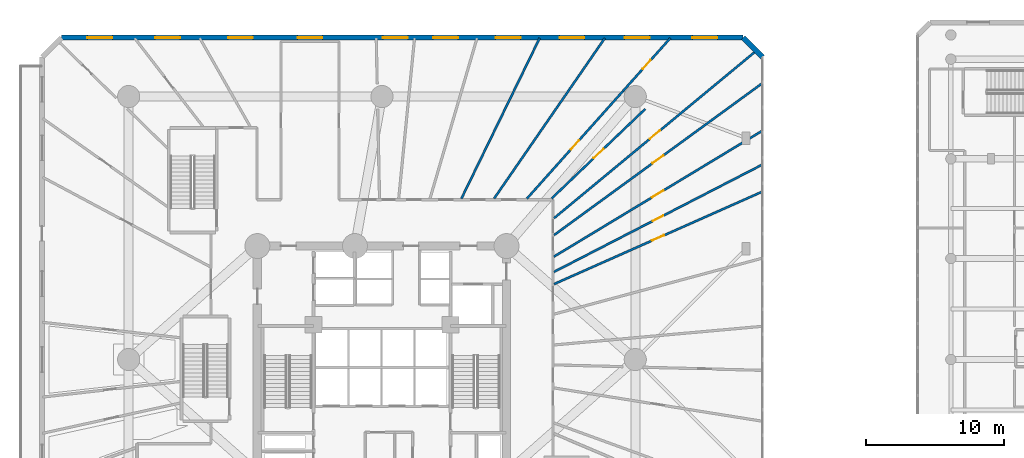
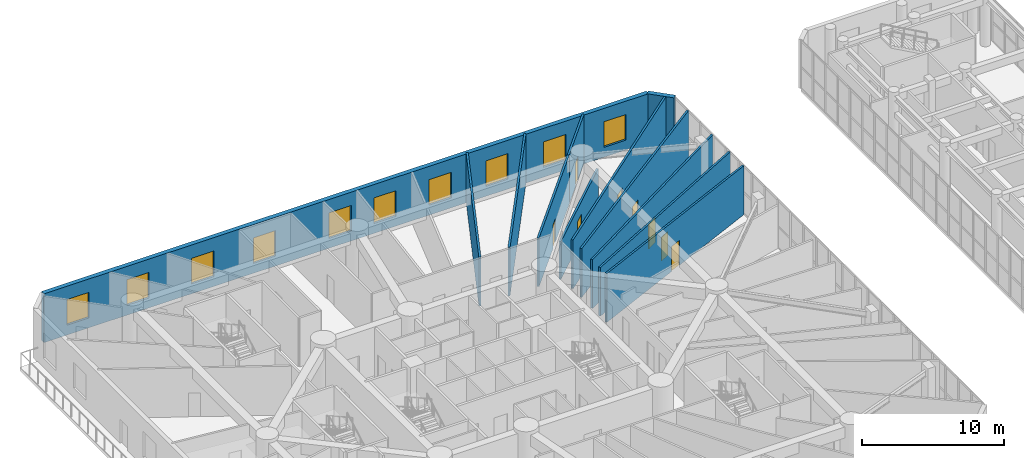
# One storey, part 18 of 26: 12 walls, 10 windows, 8 doors, 18 openings.
"""IFC4 building model written with IfcOpenShell, lengths in metres."""

from ifc_helpers import new_model, si_unit, direction, frame, frame_2d, origin, origin_with_axes, place, context, subcontext, project, spatial, rectangle, extrude, source, transform, mapped, material, layer, layer_set, type_object, element, fill, save


model = new_model("IFC4")

# Units and contexts
model_context = context("Model", 3, precision=1e-05, world=origin(), true_north=direction((0.0, 1.0)))
body_context = subcontext(model_context, "Body", "Model", "MODEL_VIEW")
ifc_project = project(units=[si_unit("LENGTHUNIT", "METRE"), si_unit("AREAUNIT", "SQUARE_METRE"), si_unit("VOLUMEUNIT", "CUBIC_METRE"), si_unit("PLANEANGLEUNIT", "RADIAN"), si_unit("MASSUNIT", "GRAM", prefix="KILO")], contexts=[model_context])

# Site, building, storey
site_placement = place(None, origin())
site = spatial("IfcSite", under=ifc_project, at=site_placement, CompositionType="ELEMENT")
building_placement = place(site_placement, origin())
building = spatial("IfcBuilding", under=site, at=building_placement, Name="Karkom Vertical University and Central Library", CompositionType="ELEMENT")
storey_placement = place(building_placement, frame((0.0, 0.0, 9.0)))
storey = spatial("IfcBuildingStorey", under=building, at=storey_placement, Name="L02", CompositionType="ELEMENT", Elevation=9.0)

# Wall
ifc_material_1 = material(Name="Brick masonry 360mm insulated cavity", Category="masonry")
ifc_layer_1 = layer(ifc_material_1, 0.360107421875)
ifc_layer_set_1 = layer_set([ifc_layer_1], Name="Brick masonry 360mm insulated cavity")
wall_type_1 = type_object("IfcWallType", Name="ENV-WL-BRK-360", PredefinedType="SOLIDWALL", material=ifc_layer_set_1)
wall_1_placement = place(storey_placement, frame((56.0, 48.35009765625, 0.0), z_axis=(0.0, 0.0, 1.0), x_axis=(-0.707106781187, 0.707106781187, 0.0)))
element("IfcWall", 1, at=wall_1_placement, inside=storey, type_object=wall_type_1, Name="Level 02 POD Terracotta Brick Facade Wall 04", PredefinedType="SOLIDWALL", context=body_context, shape_type="SweptSolid", body=[
    extrude(rectangle(XDim=1.979736328125, YDim=0.360107421875, at=frame_2d((0.98974609375, 0.0))), origin(), (0.0, 0.0, 1.0), 4.199951171875),
])

# Wall, openings, windows
wall_2_placement = place(storey_placement, frame((54.60009765625, 49.75, 0.0), z_axis=(0.0, 0.0, 1.0), x_axis=(-1.0, 0.0, 0.0)))
wall_2 = element("IfcWall", 2, at=wall_2_placement, inside=storey, type_object=wall_type_1, Name="Level 02 POD Terracotta Brick Facade Wall 05", PredefinedType="SOLIDWALL", context=body_context, shape_type="SweptSolid", body=[
    extrude(rectangle(XDim=49.25, YDim=0.360107421875, at=frame_2d((24.625, 0.0))), origin(), (0.0, 0.0, 1.0), 4.199951171875),
])
opening_1_placement = place(wall_2_placement, frame((1.865966796875, 0.0, 0.85009765625)))
opening_1 = element("IfcOpeningElement", 3, at=opening_1_placement, cuts=wall_2, Name="Opening WN-01", PredefinedType="OPENING", context=body_context, shape_type="SweptSolid", body=[
    extrude(rectangle(XDim=1.800048828125, YDim=2.199951171875, at=frame_2d((0.89990234375, 1.10009765625))), frame((0.0, 0.18994140625, 0.0), z_axis=(0.0, -1.0, 0.0), x_axis=(1.0, 0.0, 0.0)), (0.0, 0.0, 1.0), 0.380126953125),
])
opening_2_placement = place(wall_2_placement, frame((6.7626953125, 0.0, 0.85009765625)))
opening_2 = element("IfcOpeningElement", 4, at=opening_2_placement, cuts=wall_2, Name="Opening WN-01", PredefinedType="OPENING", context=body_context, shape_type="SweptSolid", body=[
    extrude(rectangle(XDim=1.800048828125, YDim=2.199951171875, at=frame_2d((0.89990234375, 1.10009765625))), frame((0.0, 0.18994140625, 0.0), z_axis=(0.0, -1.0, 0.0), x_axis=(1.0, 0.0, 0.0)), (0.0, 0.0, 1.0), 0.380126953125),
])
opening_3_placement = place(wall_2_placement, frame((11.473876953125, 0.0, 0.85009765625)))
opening_3 = element("IfcOpeningElement", 5, at=opening_3_placement, cuts=wall_2, Name="Opening WN-01", PredefinedType="OPENING", context=body_context, shape_type="SweptSolid", body=[
    extrude(rectangle(XDim=1.800048828125, YDim=2.199951171875, at=frame_2d((0.89990234375, 1.10009765625))), frame((0.0, 0.18994140625, 0.0), z_axis=(0.0, -1.0, 0.0), x_axis=(1.0, 0.0, 0.0)), (0.0, 0.0, 1.0), 0.380126953125),
])
opening_4_placement = place(wall_2_placement, frame((16.082763671875, 0.0, 0.85009765625)))
opening_4 = element("IfcOpeningElement", 6, at=opening_4_placement, cuts=wall_2, Name="Opening WN-01", PredefinedType="OPENING", context=body_context, shape_type="SweptSolid", body=[
    extrude(rectangle(XDim=1.800048828125, YDim=2.199951171875, at=frame_2d((0.89990234375, 1.10009765625))), frame((0.0, 0.18994140625, 0.0), z_axis=(0.0, -1.0, 0.0), x_axis=(1.0, 0.0, 0.0)), (0.0, 0.0, 1.0), 0.380126953125),
])
opening_5_placement = place(wall_2_placement, frame((20.59521484375, 0.0, 0.85009765625)))
opening_5 = element("IfcOpeningElement", 7, at=opening_5_placement, cuts=wall_2, Name="Opening WN-01", PredefinedType="OPENING", context=body_context, shape_type="SweptSolid", body=[
    extrude(rectangle(XDim=1.800048828125, YDim=2.199951171875, at=frame_2d((0.89990234375, 1.10009765625))), frame((0.0, 0.18994140625, 0.0), z_axis=(0.0, -1.0, 0.0), x_axis=(1.0, 0.0, 0.0)), (0.0, 0.0, 1.0), 0.380126953125),
])
opening_6_placement = place(wall_2_placement, frame((24.22998046875, 0.0, 0.85009765625)))
opening_6 = element("IfcOpeningElement", 8, at=opening_6_placement, cuts=wall_2, Name="Opening WN-01", PredefinedType="OPENING", context=body_context, shape_type="SweptSolid", body=[
    extrude(rectangle(XDim=1.800048828125, YDim=2.199951171875, at=frame_2d((0.89990234375, 1.10009765625))), frame((0.0, 0.18994140625, 0.0), z_axis=(0.0, -1.0, 0.0), x_axis=(1.0, 0.0, 0.0)), (0.0, 0.0, 1.0), 0.380126953125),
])
opening_7_placement = place(wall_2_placement, frame((30.39990234375, 0.0, 0.85009765625)))
opening_7 = element("IfcOpeningElement", 9, at=opening_7_placement, cuts=wall_2, Name="Opening WN-01", PredefinedType="OPENING", context=body_context, shape_type="SweptSolid", body=[
    extrude(rectangle(XDim=1.800048828125, YDim=2.199951171875, at=frame_2d((0.89990234375, 1.10009765625))), frame((0.0, 0.18994140625, 0.0), z_axis=(0.0, -1.0, 0.0), x_axis=(1.0, 0.0, 0.0)), (0.0, 0.0, 1.0), 0.380126953125),
])
opening_8_placement = place(wall_2_placement, frame((35.42041015625, 0.0, 0.85009765625)))
opening_8 = element("IfcOpeningElement", 10, at=opening_8_placement, cuts=wall_2, Name="Opening WN-01", PredefinedType="OPENING", context=body_context, shape_type="SweptSolid", body=[
    extrude(rectangle(XDim=1.800048828125, YDim=2.199951171875, at=frame_2d((0.89990234375, 1.10009765625))), frame((0.0, 0.18994140625, 0.0), z_axis=(0.0, -1.0, 0.0), x_axis=(1.0, 0.0, 0.0)), (0.0, 0.0, 1.0), 0.380126953125),
])
opening_9_placement = place(wall_2_placement, frame((40.690185546875, 0.0, 0.85009765625)))
opening_9 = element("IfcOpeningElement", 11, at=opening_9_placement, cuts=wall_2, Name="Opening WN-01", PredefinedType="OPENING", context=body_context, shape_type="SweptSolid", body=[
    extrude(rectangle(XDim=1.800048828125, YDim=2.199951171875, at=frame_2d((0.89990234375, 1.10009765625))), frame((0.0, 0.18994140625, 0.0), z_axis=(0.0, -1.0, 0.0), x_axis=(1.0, 0.0, 0.0)), (0.0, 0.0, 1.0), 0.380126953125),
])
opening_10_placement = place(wall_2_placement, frame((45.579833984375, 0.0, 0.85009765625)))
opening_10 = element("IfcOpeningElement", 12, at=opening_10_placement, cuts=wall_2, Name="Opening WN-01", PredefinedType="OPENING", context=body_context, shape_type="SweptSolid", body=[
    extrude(rectangle(XDim=1.800048828125, YDim=2.199951171875, at=frame_2d((0.89990234375, 1.10009765625))), frame((0.0, 0.18994140625, 0.0), z_axis=(0.0, -1.0, 0.0), x_axis=(1.0, 0.0, 0.0)), (0.0, 0.0, 1.0), 0.380126953125),
])
ifc_material_2 = material(Name="Aluminium thermal-break frame with solar-control IGU", Category="aluminium")
window_type = type_object("IfcWindowType", Name="ENV-WIN-WN-01", PartitioningType="SINGLE_PANEL", PredefinedType="WINDOW", material=ifc_material_2)
shared_shape_1 = source(origin_with_axes(), body_context, "Body", "SweptSolid", [
    extrude(rectangle(XDim=1.800048828125, YDim=2.199951171875, at=frame_2d((0.89990234375, 1.10009765625))), frame((0.0, 0.030029296875, 0.0), z_axis=(0.0, -1.0, 0.0), x_axis=(1.0, 0.0, 0.0)), (0.0, 0.0, 1.0), 0.06005859375),
])
window_1_placement = place(opening_1_placement, origin())
window_1 = element("IfcWindow", 13, at=window_1_placement, inside=storey, type_object=window_type, Name="Level 02 POD Punched Window 01", OverallHeight=2.199951171875, OverallWidth=1.800048828125, PartitioningType="SINGLE_PANEL", PredefinedType="WINDOW", context=body_context, shape_type="MappedRepresentation", body=[
    mapped(shared_shape_1, transform((0.0, 0.0, 0.0), scale=1.0)),
])
fill(opening_1, window_1)
window_2_placement = place(opening_2_placement, origin())
window_2 = element("IfcWindow", 14, at=window_2_placement, inside=storey, type_object=window_type, Name="Level 02 POD Punched Window 02", OverallHeight=2.199951171875, OverallWidth=1.800048828125, PartitioningType="SINGLE_PANEL", PredefinedType="WINDOW", context=body_context, shape_type="MappedRepresentation", body=[
    mapped(shared_shape_1, transform((0.0, 0.0, 0.0), scale=1.0)),
])
fill(opening_2, window_2)
window_3_placement = place(opening_3_placement, origin())
window_3 = element("IfcWindow", 15, at=window_3_placement, inside=storey, type_object=window_type, Name="Level 02 POD Punched Window 03", OverallHeight=2.199951171875, OverallWidth=1.800048828125, PartitioningType="SINGLE_PANEL", PredefinedType="WINDOW", context=body_context, shape_type="MappedRepresentation", body=[
    mapped(shared_shape_1, transform((0.0, 0.0, 0.0), scale=1.0)),
])
fill(opening_3, window_3)
window_4_placement = place(opening_4_placement, origin())
window_4 = element("IfcWindow", 16, at=window_4_placement, inside=storey, type_object=window_type, Name="Level 02 POD Punched Window 04", OverallHeight=2.199951171875, OverallWidth=1.800048828125, PartitioningType="SINGLE_PANEL", PredefinedType="WINDOW", context=body_context, shape_type="MappedRepresentation", body=[
    mapped(shared_shape_1, transform((0.0, 0.0, 0.0), scale=1.0)),
])
fill(opening_4, window_4)
window_5_placement = place(opening_5_placement, origin())
window_5 = element("IfcWindow", 17, at=window_5_placement, inside=storey, type_object=window_type, Name="Level 02 POD Punched Window 05", OverallHeight=2.199951171875, OverallWidth=1.800048828125, PartitioningType="SINGLE_PANEL", PredefinedType="WINDOW", context=body_context, shape_type="MappedRepresentation", body=[
    mapped(shared_shape_1, transform((0.0, 0.0, 0.0), scale=1.0)),
])
fill(opening_5, window_5)
window_6_placement = place(opening_6_placement, origin())
window_6 = element("IfcWindow", 18, at=window_6_placement, inside=storey, type_object=window_type, Name="Level 02 POD Punched Window 06", OverallHeight=2.199951171875, OverallWidth=1.800048828125, PartitioningType="SINGLE_PANEL", PredefinedType="WINDOW", context=body_context, shape_type="MappedRepresentation", body=[
    mapped(shared_shape_1, transform((0.0, 0.0, 0.0), scale=1.0)),
])
fill(opening_6, window_6)
window_7_placement = place(opening_7_placement, origin())
window_7 = element("IfcWindow", 19, at=window_7_placement, inside=storey, type_object=window_type, Name="Level 02 POD Punched Window 07", OverallHeight=2.199951171875, OverallWidth=1.800048828125, PartitioningType="SINGLE_PANEL", PredefinedType="WINDOW", context=body_context, shape_type="MappedRepresentation", body=[
    mapped(shared_shape_1, transform((0.0, 0.0, 0.0), scale=1.0)),
])
fill(opening_7, window_7)
window_8_placement = place(opening_8_placement, origin())
window_8 = element("IfcWindow", 20, at=window_8_placement, inside=storey, type_object=window_type, Name="Level 02 POD Punched Window 08", OverallHeight=2.199951171875, OverallWidth=1.800048828125, PartitioningType="SINGLE_PANEL", PredefinedType="WINDOW", context=body_context, shape_type="MappedRepresentation", body=[
    mapped(shared_shape_1, transform((0.0, 0.0, 0.0), scale=1.0)),
])
fill(opening_8, window_8)
window_9_placement = place(opening_9_placement, origin())
window_9 = element("IfcWindow", 21, at=window_9_placement, inside=storey, type_object=window_type, Name="Level 02 POD Punched Window 09", OverallHeight=2.199951171875, OverallWidth=1.800048828125, PartitioningType="SINGLE_PANEL", PredefinedType="WINDOW", context=body_context, shape_type="MappedRepresentation", body=[
    mapped(shared_shape_1, transform((0.0, 0.0, 0.0), scale=1.0)),
])
fill(opening_9, window_9)
window_10_placement = place(opening_10_placement, origin())
window_10 = element("IfcWindow", 22, at=window_10_placement, inside=storey, type_object=window_type, Name="Level 02 POD Punched Window 10", OverallHeight=2.199951171875, OverallWidth=1.800048828125, PartitioningType="SINGLE_PANEL", PredefinedType="WINDOW", context=body_context, shape_type="MappedRepresentation", body=[
    mapped(shared_shape_1, transform((0.0, 0.0, 0.0), scale=1.0)),
])
fill(opening_10, window_10)

# Wall, opening, door
ifc_material_3 = material(Name="Insulated metal-stud drywall 160mm", Category="gypsum")
ifc_layer_2 = layer(ifc_material_3, 0.159912109375)
ifc_layer_set_2 = layer_set([ifc_layer_2], Name="Insulated metal-stud drywall 160mm")
wall_type_2 = type_object("IfcWallType", Name="INT-WL-COR-160", PredefinedType="PARTITIONING", material=ifc_layer_set_2)
wall_3_placement = place(storey_placement, frame((40.931884765625, 36.71240234375, 0.0), z_axis=(0.0, 0.0, 1.0), x_axis=(0.770350004389, 0.637621259635, 0.0)))
wall_3 = element("IfcWall", 23, at=wall_3_placement, inside=storey, type_object=wall_type_2, Name="Level 02 Interior Partition Wall Level 02-PODW-29-30-1", PredefinedType="PARTITIONING", context=body_context, shape_type="SweptSolid", body=[
    extrude(rectangle(XDim=18.942138671875, YDim=0.159912109375, at=frame_2d((9.47119140625, 0.0))), origin(), (0.0, 0.0, 1.0), 4.199951171875),
])
opening_11_placement = place(wall_3_placement, frame((8.978515625, 0.0, 0.0)))
opening_11 = element("IfcOpeningElement", 24, at=opening_11_placement, cuts=wall_3, Name="Opening FD-RM2", PredefinedType="OPENING", context=body_context, shape_type="SweptSolid", body=[
    extrude(rectangle(XDim=0.9599609375, YDim=2.14990234375, at=frame_2d((0.47998046875, 1.074951171875))), frame((0.0, 0.08984375, 0.0), z_axis=(0.0, -1.0, 0.0), x_axis=(1.0, 0.0, 0.0)), (0.0, 0.0, 1.0), 0.179931640625),
])
ifc_material_4 = material(Name="Fire-rated oak veneer door", Category="wood")
door_type_1 = type_object("IfcDoorType", Name="INT-DR-FRM2", OperationType="NOTDEFINED", PredefinedType="DOOR", material=ifc_material_4)
shared_shape_2 = source(origin_with_axes(), body_context, "Body", "SweptSolid", [
    extrude(rectangle(XDim=0.9599609375, YDim=2.14990234375, at=frame_2d((0.47998046875, 1.074951171875))), frame((0.0, 0.02490234375, 0.0), z_axis=(0.0, -1.0, 0.0), x_axis=(1.0, 0.0, 0.0)), (0.0, 0.0, 1.0), 0.050048828125),
])
door_1_placement = place(opening_11_placement, origin())
door_1 = element("IfcDoor", 25, at=door_1_placement, inside=storey, type_object=door_type_1, Name="Level 02 Room Entry Door 829", OperationType="SINGLE_SWING_LEFT", OverallHeight=2.14990234375, OverallWidth=0.9599609375, PredefinedType="DOOR", context=body_context, shape_type="MappedRepresentation", body=[
    mapped(shared_shape_2, transform((0.0, 0.0, 0.0), scale=1.0)),
])
fill(opening_11, door_1)

wall_4_placement = place(storey_placement, frame((40.931884765625, 35.490478515625, 0.0), z_axis=(0.0, 0.0, 1.0), x_axis=(0.808014689356, 0.589162339076, 0.0)))
wall_4 = element("IfcWall", 26, at=wall_4_placement, inside=storey, type_object=wall_type_2, Name="Level 02 Interior Partition Wall Level 02-PODW-28-29-1", PredefinedType="PARTITIONING", context=body_context, shape_type="SweptSolid", body=[
    extrude(rectangle(XDim=18.601806640625, YDim=0.159912109375, at=frame_2d((9.30078125, 0.0))), origin(), (0.0, 0.0, 1.0), 4.199951171875),
])
opening_12_placement = place(wall_4_placement, frame((8.808349609375, 0.0, 0.0)))
opening_12 = element("IfcOpeningElement", 27, at=opening_12_placement, cuts=wall_4, Name="Opening FD-RM2", PredefinedType="OPENING", context=body_context, shape_type="SweptSolid", body=[
    extrude(rectangle(XDim=0.9599609375, YDim=2.14990234375, at=frame_2d((0.47998046875, 1.074951171875))), frame((0.0, 0.08984375, 0.0), z_axis=(0.0, -1.0, 0.0), x_axis=(1.0, 0.0, 0.0)), (0.0, 0.0, 1.0), 0.179931640625),
])
door_2_placement = place(opening_12_placement, origin())
door_2 = element("IfcDoor", 28, at=door_2_placement, inside=storey, type_object=door_type_1, Name="Level 02 Room Entry Door 828", OperationType="SINGLE_SWING_RIGHT", OverallHeight=2.14990234375, OverallWidth=0.9599609375, PredefinedType="DOOR", context=body_context, shape_type="MappedRepresentation", body=[
    mapped(shared_shape_2, transform((0.0, 0.0, 0.0), scale=1.0)),
])
fill(opening_12, door_2)

wall_5_placement = place(storey_placement, frame((40.919189453125, 33.931640625, 0.0), z_axis=(0.0, 0.0, 1.0), x_axis=(0.855961001887, 0.517040388412, 0.0)))
wall_5 = element("IfcWall", 29, at=wall_5_placement, inside=storey, type_object=wall_type_2, Name="Level 02 Interior Partition Wall Level 02-PODW-27-28-1", PredefinedType="PARTITIONING", context=body_context, shape_type="SweptSolid", body=[
    extrude(rectangle(XDim=17.57861328125, YDim=0.159912109375, at=frame_2d((8.789306640625, 0.0))), origin(), (0.0, 0.0, 1.0), 4.199951171875),
])
opening_13_placement = place(wall_5_placement, frame((8.289306640625, 0.0, 0.0)))
opening_13 = element("IfcOpeningElement", 30, at=opening_13_placement, cuts=wall_5, Name="Opening FD-RM2", PredefinedType="OPENING", context=body_context, shape_type="SweptSolid", body=[
    extrude(rectangle(XDim=0.9599609375, YDim=2.14990234375, at=frame_2d((0.47998046875, 1.074951171875))), frame((0.0, 0.08984375, 0.0), z_axis=(0.0, -1.0, 0.0), x_axis=(1.0, 0.0, 0.0)), (0.0, 0.0, 1.0), 0.179931640625),
])
door_3_placement = place(opening_13_placement, origin())
door_3 = element("IfcDoor", 31, at=door_3_placement, inside=storey, type_object=door_type_1, Name="Level 02 Room Entry Door 827", OperationType="SINGLE_SWING_LEFT", OverallHeight=2.14990234375, OverallWidth=0.9599609375, PredefinedType="DOOR", context=body_context, shape_type="MappedRepresentation", body=[
    mapped(shared_shape_2, transform((0.0, 0.0, 0.0), scale=1.0)),
])
fill(opening_13, door_3)

wall_6_placement = place(storey_placement, frame((40.918701171875, 32.8271484375, 0.0), z_axis=(0.0, 0.0, 1.0), x_axis=(0.8890624387, 0.457785954452, 0.0)))
wall_6 = element("IfcWall", 32, at=wall_6_placement, inside=storey, type_object=wall_type_2, Name="Level 02 Interior Partition Wall Level 02-PODW-26-27-1", PredefinedType="PARTITIONING", context=body_context, shape_type="SweptSolid", body=[
    extrude(rectangle(XDim=16.92724609375, YDim=0.159912109375, at=frame_2d((8.463623046875, 0.0))), origin(), (0.0, 0.0, 1.0), 4.199951171875),
])
opening_14_placement = place(wall_6_placement, frame((8.033447265625, 0.0, 0.0)))
opening_14 = element("IfcOpeningElement", 33, at=opening_14_placement, cuts=wall_6, Name="Opening FD-BTH2", PredefinedType="OPENING", context=body_context, shape_type="SweptSolid", body=[
    extrude(rectangle(XDim=0.860107421875, YDim=2.0400390625, at=frame_2d((0.43017578125, 1.02001953125))), frame((0.0, 0.08984375, 0.0), z_axis=(0.0, -1.0, 0.0), x_axis=(1.0, 0.0, 0.0)), (0.0, 0.0, 1.0), 0.179931640625),
])
ifc_material_5 = material(Name="Fire-rated moisture-resistant oak door", Category="wood")
door_type_2 = type_object("IfcDoorType", Name="INT-DR-FBTH2", OperationType="NOTDEFINED", PredefinedType="DOOR", material=ifc_material_5)
shared_shape_3 = source(origin_with_axes(), body_context, "Body", "SweptSolid", [
    extrude(rectangle(XDim=0.860107421875, YDim=2.0400390625, at=frame_2d((0.43017578125, 1.02001953125))), frame((0.0, 0.02490234375, 0.0), z_axis=(0.0, -1.0, 0.0), x_axis=(1.0, 0.0, 0.0)), (0.0, 0.0, 1.0), 0.050048828125),
])
door_4_placement = place(opening_14_placement, origin())
door_4 = element("IfcDoor", 34, at=door_4_placement, inside=storey, type_object=door_type_2, Name="Level 02 Faculty Board Meeting Room Entry Door", OperationType="SINGLE_SWING_RIGHT", OverallHeight=2.0400390625, OverallWidth=0.860107421875, PredefinedType="DOOR", context=body_context, shape_type="MappedRepresentation", body=[
    mapped(shared_shape_3, transform((0.0, 0.0, 0.0), scale=1.0)),
])
fill(opening_14, door_4)

wall_7_placement = place(storey_placement, frame((40.931884765625, 31.950927734375, 0.0), z_axis=(0.0, 0.0, 1.0), x_axis=(0.914043329039, 0.405616558636, 0.0)))
wall_7 = element("IfcWall", 35, at=wall_7_placement, inside=storey, type_object=wall_type_2, Name="Level 02 Interior Partition Wall Level 02-PODW-25-26-1", PredefinedType="PARTITIONING", context=body_context, shape_type="SweptSolid", body=[
    extrude(rectangle(XDim=16.45166015625, YDim=0.159912109375, at=frame_2d((8.225830078125, 0.0))), origin(), (0.0, 0.0, 1.0), 4.199951171875),
])
opening_15_placement = place(wall_7_placement, frame((7.7333984375, 0.0, 0.0)))
opening_15 = element("IfcOpeningElement", 36, at=opening_15_placement, cuts=wall_7, Name="Opening FD-RM2", PredefinedType="OPENING", context=body_context, shape_type="SweptSolid", body=[
    extrude(rectangle(XDim=0.9599609375, YDim=2.14990234375, at=frame_2d((0.47998046875, 1.074951171875))), frame((0.0, 0.08984375, 0.0), z_axis=(0.0, -1.0, 0.0), x_axis=(1.0, 0.0, 0.0)), (0.0, 0.0, 1.0), 0.179931640625),
])
door_5_placement = place(opening_15_placement, origin())
door_5 = element("IfcDoor", 37, at=door_5_placement, inside=storey, type_object=door_type_1, Name="Level 02 Room Entry Door 825", OperationType="SINGLE_SWING_LEFT", OverallHeight=2.14990234375, OverallWidth=0.9599609375, PredefinedType="DOOR", context=body_context, shape_type="MappedRepresentation", body=[
    mapped(shared_shape_2, transform((0.0, 0.0, 0.0), scale=1.0)),
])
fill(opening_15, door_5)

# Walls
wall_8_placement = place(storey_placement, frame((36.60205078125, 38.132080078125, 0.0), z_axis=(0.0, 0.0, 1.0), x_axis=(0.568083583137, 0.822970863743, 0.0)))
element("IfcWall", 38, at=wall_8_placement, inside=storey, type_object=wall_type_2, Name="Level 02 Interior Partition Wall Level 02-PODW-32-33-1", PredefinedType="PARTITIONING", context=body_context, shape_type="SweptSolid", body=[
    extrude(rectangle(XDim=14.072509765625, YDim=0.159912109375, at=frame_2d((7.0361328125, 0.0))), origin(), (0.0, 0.0, 1.0), 4.199951171875),
])
wall_9_placement = place(storey_placement, frame((34.2333984375, 38.118408203125, 0.0), z_axis=(0.0, 0.0, 1.0), x_axis=(0.438369218091, 0.898794986985, 0.0)))
element("IfcWall", 39, at=wall_9_placement, inside=storey, type_object=wall_type_2, Name="Level 02 Interior Partition Wall Level 02-PODW-33-34-1", PredefinedType="PARTITIONING", context=body_context, shape_type="SweptSolid", body=[
    extrude(rectangle(XDim=12.90625, YDim=0.159912109375, at=frame_2d((6.453125, 0.0))), origin(), (0.0, 0.0, 1.0), 4.199951171875),
])

# Wall, opening, door
wall_10_placement = place(storey_placement, frame((38.9658203125, 38.120849609375, 0.0), z_axis=(0.0, 0.0, 1.0), x_axis=(0.666343454818, 0.745644955875, 0.0)))
wall_10 = element("IfcWall", 40, at=wall_10_placement, inside=storey, type_object=wall_type_2, Name="Level 02 Interior Partition Wall Level 02-PODW-31-32-1", PredefinedType="PARTITIONING", context=body_context, shape_type="SweptSolid", body=[
    extrude(rectangle(XDim=10.421142578125, YDim=0.159912109375, at=frame_2d((5.21044921875, 0.0))), origin(), (0.0, 0.0, 1.0), 4.199951171875),
])
opening_16_placement = place(wall_10_placement, frame((4.78076171875, 0.0, 0.0)))
opening_16 = element("IfcOpeningElement", 41, at=opening_16_placement, cuts=wall_10, Name="Opening FD-BTH2", PredefinedType="OPENING", context=body_context, shape_type="SweptSolid", body=[
    extrude(rectangle(XDim=0.860107421875, YDim=2.0400390625, at=frame_2d((0.43017578125, 1.02001953125))), frame((0.0, 0.08984375, 0.0), z_axis=(0.0, -1.0, 0.0), x_axis=(1.0, 0.0, 0.0)), (0.0, 0.0, 1.0), 0.179931640625),
])
door_6_placement = place(opening_16_placement, origin())
door_6 = element("IfcDoor", 42, at=door_6_placement, inside=storey, type_object=door_type_2, Name="Level 02 Digital Fabrication Classroom Entry Door", OperationType="SINGLE_SWING_RIGHT", OverallHeight=2.0400390625, OverallWidth=0.860107421875, PredefinedType="DOOR", context=body_context, shape_type="MappedRepresentation", body=[
    mapped(shared_shape_3, transform((0.0, 0.0, 0.0), scale=1.0)),
])
fill(opening_16, door_6)

wall_11_placement = place(storey_placement, frame((40.751708984375, 38.132080078125, 0.0), z_axis=(0.0, 0.0, 1.0), x_axis=(0.722765157253, 0.69109371829, 0.0)))
wall_11 = element("IfcWall", 43, at=wall_11_placement, inside=storey, type_object=wall_type_2, Name="Level 02 Interior Partition Wall Level 02-PODW-30-31-1", PredefinedType="PARTITIONING", context=body_context, shape_type="SweptSolid", body=[
    extrude(rectangle(XDim=9.37353515625, YDim=0.159912109375, at=frame_2d((4.686767578125, 0.0))), origin(), (0.0, 0.0, 1.0), 3.25),
])
opening_17_placement = place(wall_11_placement, frame((4.2119140625, 0.0, 0.0)))
opening_17 = element("IfcOpeningElement", 44, at=opening_17_placement, cuts=wall_11, Name="Opening FD-RM2", PredefinedType="OPENING", context=body_context, shape_type="SweptSolid", body=[
    extrude(rectangle(XDim=0.9599609375, YDim=2.14990234375, at=frame_2d((0.47998046875, 1.074951171875))), frame((0.0, 0.08984375, 0.0), z_axis=(0.0, -1.0, 0.0), x_axis=(1.0, 0.0, 0.0)), (0.0, 0.0, 1.0), 0.179931640625),
])
door_7_placement = place(opening_17_placement, origin())
door_7 = element("IfcDoor", 45, at=door_7_placement, inside=storey, type_object=door_type_1, Name="Level 02 Room Entry Door 830", OperationType="SINGLE_SWING_RIGHT", OverallHeight=2.14990234375, OverallWidth=0.9599609375, PredefinedType="DOOR", context=body_context, shape_type="MappedRepresentation", body=[
    mapped(shared_shape_2, transform((0.0, 0.0, 0.0), scale=1.0)),
])
fill(opening_17, door_7)

wall_12_placement = place(storey_placement, frame((45.913330078125, 45.89501953125, 0.0), z_axis=(0.0, 0.0, 1.0), x_axis=(0.666346204372, 0.745642498735, 0.0)))
wall_12 = element("IfcWall", 46, at=wall_12_placement, inside=storey, type_object=wall_type_2, Name="Level 02 Interior Partition Wall Level 02-PODW-30-32-1", PredefinedType="PARTITIONING", context=body_context, shape_type="SweptSolid", body=[
    extrude(rectangle(XDim=5.123291015625, YDim=0.159912109375, at=frame_2d((2.5615234375, 0.0))), origin(), (0.0, 0.0, 1.0), 4.199951171875),
])
opening_18_placement = place(wall_12_placement, frame((2.1416015625, 0.0, 0.0)))
opening_18 = element("IfcOpeningElement", 47, at=opening_18_placement, cuts=wall_12, Name="Opening FD-BTH2", PredefinedType="OPENING", context=body_context, shape_type="SweptSolid", body=[
    extrude(rectangle(XDim=0.860107421875, YDim=2.0400390625, at=frame_2d((0.43017578125, 1.02001953125))), frame((0.0, 0.08984375, 0.0), z_axis=(0.0, -1.0, 0.0), x_axis=(1.0, 0.0, 0.0)), (0.0, 0.0, 1.0), 0.179931640625),
])
door_8_placement = place(opening_18_placement, origin())
door_8 = element("IfcDoor", 48, at=door_8_placement, inside=storey, type_object=door_type_2, Name="Level 02 Student Dining Lounge Entry Door", OperationType="SINGLE_SWING_LEFT", OverallHeight=2.0400390625, OverallWidth=0.860107421875, PredefinedType="DOOR", context=body_context, shape_type="MappedRepresentation", body=[
    mapped(shared_shape_3, transform((0.0, 0.0, 0.0), scale=1.0)),
])
fill(opening_18, door_8)

save(model, "model.ifc")
